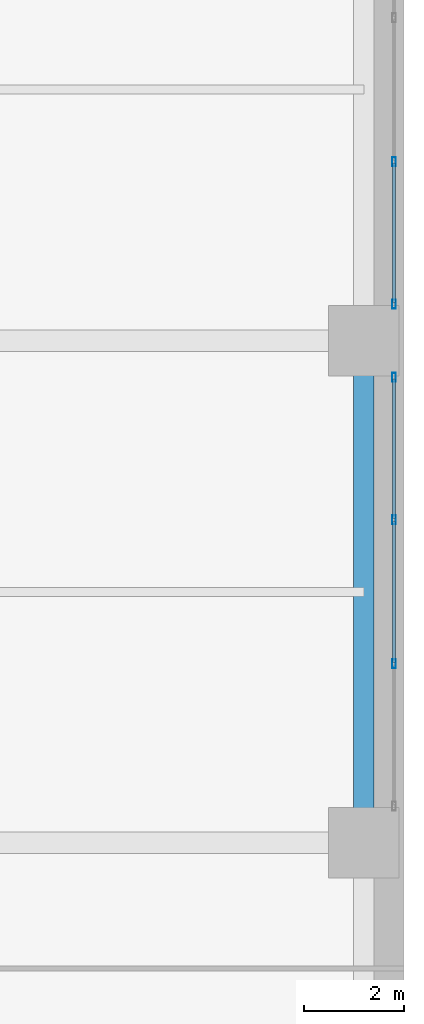
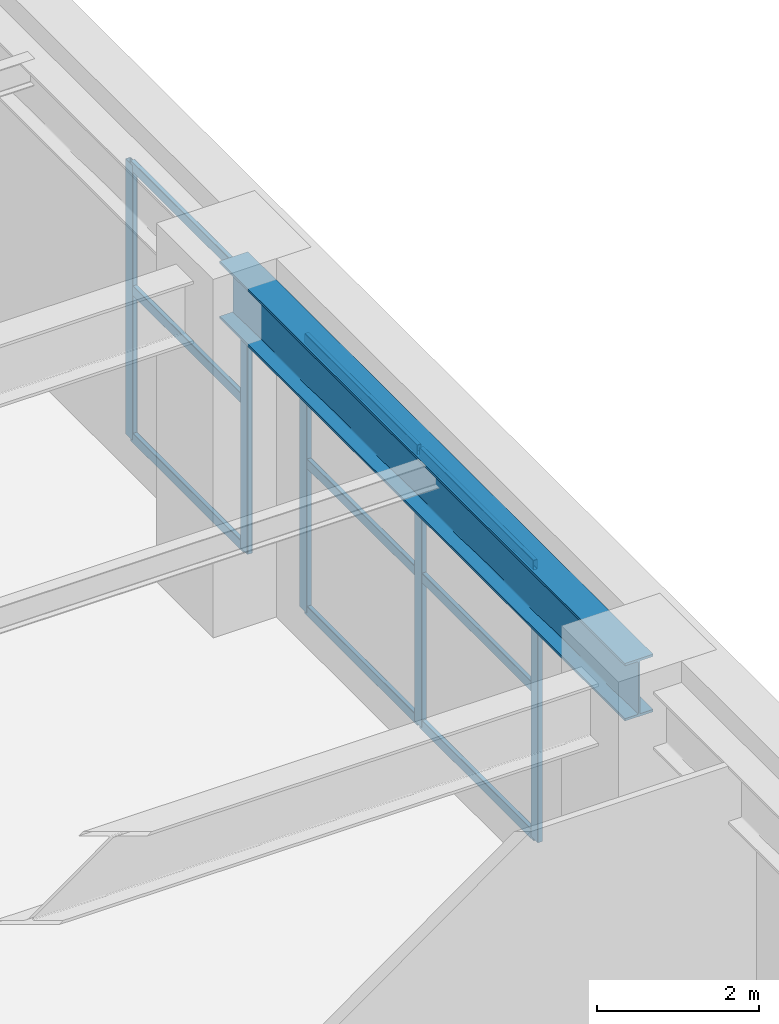
# One storey, part 12 of 25: 14 members, 1 beam, 2 elements without a shape of their own.
"""IFC4 building model written with IfcOpenShell, lengths in metres."""

import ifcopenshell
import ifcopenshell.guid

model = None  # the IFC model being written
_history = None  # IfcOwnerHistory: only IFC2X3 demands one
_inside = {}  # id of a spatial element -> (the spatial element, [elements in it])
_under = {}  # id of a project, library or spatial element -> (it, [spatial elements below it])
_declared = {}  # id of a project -> (the project, [libraries it declares])
_typed = {}  # id of a type object -> (the type object, [elements of that type])
_made_of = {}  # id of a material, layer set ... -> (it, [elements and type objects made of it])


def new_model(schema):
    """Start an empty IFC model of exactly this schema.

    Asked for "IFC4X3", IfcOpenShell would pick the latest addendum, in which some entities
    have other attributes; the version numbers below select the first issue.
    IFC2X3 requires an IfcOwnerHistory on every rooted entity: one is made here for all.
    """
    global model, _history
    if schema == "IFC4X3":
        model = ifcopenshell.file(schema_version=(4, 3, 0, 0))
    else:
        model = ifcopenshell.file(schema=schema)
    _inside.clear()
    _under.clear()
    _declared.clear()
    _typed.clear()
    _made_of.clear()
    _history = None
    if model.schema == "IFC2X3":
        org = make("IfcOrganization", Name="unknown")
        user = make(
            "IfcPersonAndOrganization",
            ThePerson=make("IfcPerson", FamilyName="unknown"),
            TheOrganization=org,
        )
        app = make(
            "IfcApplication",
            ApplicationDeveloper=org,
            Version="unknown",
            ApplicationFullName="unknown",
            ApplicationIdentifier="unknown",
        )
        _history = make(
            "IfcOwnerHistory",
            OwningUser=user,
            OwningApplication=app,
            ChangeAction="ADDED",
            CreationDate=0,
        )
    return model


def make(cls, **values):
    """One entity of the class cls with the attributes given. An attribute that is None is left unset."""
    return model.create_entity(
        cls, **{name: value for name, value in values.items() if value is not None}
    )


def rooted(cls, **values):
    """An entity with a GlobalId (a new one), such as an element, a storey or a relation."""
    return make(cls, GlobalId=ifcopenshell.guid.new(), OwnerHistory=_history, **values)


def si_unit(unit_type, name, prefix=None):
    """IfcSIUnit, for example si_unit("LENGTHUNIT", "METRE", prefix="MILLI")."""
    return make("IfcSIUnit", UnitType=unit_type, Prefix=prefix, Name=name)


def assignment(units):
    """IfcUnitAssignment: the units of a project."""
    return None if units is None else make("IfcUnitAssignment", Units=units)


def point(xyz):
    """IfcCartesianPoint."""
    return None if xyz is None else make("IfcCartesianPoint", Coordinates=xyz)


def direction(xyz):
    """IfcDirection."""
    return None if xyz is None else make("IfcDirection", DirectionRatios=xyz)


def frame(location, z_axis=None, x_axis=None):
    """IfcAxis2Placement3D, a coordinate frame: its origin and axes. An axis left out is left unset."""
    return make(
        "IfcAxis2Placement3D",
        Location=point(location),
        Axis=direction(z_axis),
        RefDirection=direction(x_axis),
    )


def frame_2d(location, x_axis=None):
    """IfcAxis2Placement2D, a coordinate frame in the plane: its origin and x axis."""
    return make(
        "IfcAxis2Placement2D", Location=point(location), RefDirection=direction(x_axis)
    )


def origin():
    """The frame at (0, 0, 0) with its axes left unset."""
    return frame((0.0, 0.0, 0.0))


def origin_2d():
    """The frame at (0, 0) in the plane with its x axis left unset."""
    return frame_2d((0.0, 0.0))


def place(relative_to, where):
    """IfcLocalPlacement: puts the frame where relative to a parent placement (None: the world)."""
    return make(
        "IfcLocalPlacement", PlacementRelTo=relative_to, RelativePlacement=where
    )


def context(
    kind, dimensions, precision=None, world=None, true_north=None, identifier=None
):
    """IfcGeometricRepresentationContext, for example the 3D "Model" context."""
    return make(
        "IfcGeometricRepresentationContext",
        ContextIdentifier=identifier,
        ContextType=kind,
        CoordinateSpaceDimension=dimensions,
        Precision=precision,
        WorldCoordinateSystem=world,
        TrueNorth=true_north,
    )


def subcontext(parent, identifier, kind, view, scale=None):
    """IfcGeometricRepresentationSubContext, for example "Body" below "Model"."""
    return make(
        "IfcGeometricRepresentationSubContext",
        ContextIdentifier=identifier,
        ContextType=kind,
        ParentContext=parent,
        TargetScale=scale,
        TargetView=view,
    )


def project(units=None, contexts=None):
    """IfcProject with its units and contexts."""
    return rooted(
        "IfcProject",
        Name="project",
        RepresentationContexts=contexts,
        UnitsInContext=assignment(units),
    )


def spatial(cls, under=None, at=None, **own):
    """A site, building, storey or space (cls), placed at a placement, below another one or the project."""
    s = rooted(cls, ObjectPlacement=at, **own)
    if under is not None:
        _under.setdefault(under.id(), (under, []))[1].append(s)
    return s


def profile(cls, at=None, kind="AREA", **sizes):
    """A parametric profile (cls). Its sizes go by their IFC names, for example OverallWidth=200.0."""
    return make(cls, ProfileType=kind, Position=at, **sizes)


def hollow_rectangle(**sizes):
    """IfcRectangleHollowProfileDef."""
    return profile("IfcRectangleHollowProfileDef", **sizes)


def i_section(**sizes):
    """IfcIShapeProfileDef."""
    return profile("IfcIShapeProfileDef", **sizes)


def extrude(swept, where, along, depth):
    """IfcExtrudedAreaSolid: the profile swept, set in the frame where, extruded along a direction by depth."""
    return make(
        "IfcExtrudedAreaSolid",
        SweptArea=swept,
        Position=where,
        ExtrudedDirection=direction(along),
        Depth=depth,
    )


def shape(context_of_items, identifier, shape_type, items):
    """IfcShapeRepresentation: the items that make up one representation, for example the "Body"."""
    return make(
        "IfcShapeRepresentation",
        ContextOfItems=context_of_items,
        RepresentationIdentifier=identifier,
        RepresentationType=shape_type,
        Items=items,
    )


def material(Name=None, Category=None):
    """IfcMaterial."""
    return make("IfcMaterial", Name=Name, Category=Category)


def layer(
    of_material, thickness, ventilated=None, Name=None, Category=None, Priority=None
):
    """IfcMaterialLayer: one layer of a wall or slab, of a material (None: an air gap)."""
    return make(
        "IfcMaterialLayer",
        Material=of_material,
        LayerThickness=thickness,
        IsVentilated=ventilated,
        Name=Name,
        Category=Category,
        Priority=Priority,
    )


def layer_set(layers, Name=None):
    """IfcMaterialLayerSet."""
    return make("IfcMaterialLayerSet", MaterialLayers=layers, LayerSetName=Name)


def material_profile(
    of_material, cross_section, Name=None, Category=None, Priority=None
):
    """IfcMaterialProfile: a cross section and its material."""
    return make(
        "IfcMaterialProfile",
        Name=Name,
        Material=of_material,
        Profile=cross_section,
        Priority=Priority,
        Category=Category,
    )


def profile_set(profiles, Name=None, composite=None):
    """IfcMaterialProfileSet."""
    return make(
        "IfcMaterialProfileSet",
        Name=Name,
        MaterialProfiles=profiles,
        CompositeProfile=composite,
    )


def made_of(thing, what):
    """Note that an element or type object is made of a material, layer set ...; save() writes the relation."""
    if what is not None:
        _made_of.setdefault(what.id(), (what, []))[1].append(thing)
    return thing


def type_object(cls, material=None, **own):
    """A type object (cls), such as IfcWallType, which elements share."""
    return made_of(rooted(cls, **own), material)


def element(
    cls,
    number,
    at=None,
    inside=None,
    cuts=None,
    type_object=None,
    material=None,
    context=None,
    identifier="Body",
    shape_type=None,
    held_by="IfcProductDefinitionShape",
    body=None,
    shapes=None,
    **own,
):
    """One element of the class cls, such as IfcWall. Its Tag is "e" and its number.

    at: its placement. inside: the storey or other place that contains it. cuts: it is an
    opening in that element (IfcRelVoidsElement). A single representation is given by context,
    identifier, shape_type and body (its items); several are given by shapes. held_by: the class
    of the entity that holds the representations. save() writes the other relations.
    """
    e = rooted(cls, Tag="e%d" % number, ObjectPlacement=at, **own)
    if body is not None:
        shapes = [shape(context, identifier, shape_type, body)]
    if shapes is not None:
        e.Representation = make(held_by, Representations=shapes)
    if inside is not None:
        _inside.setdefault(inside.id(), (inside, []))[1].append(e)
    if cuts is not None:
        rooted(
            "IfcRelVoidsElement", RelatingBuildingElement=cuts, RelatedOpeningElement=e
        )
    if type_object is not None:
        _typed.setdefault(type_object.id(), (type_object, []))[1].append(e)
    return made_of(e, material)


def aggregate(whole, parts):
    """IfcRelAggregates: a whole, such as a stair, and the parts it consists of."""
    return rooted("IfcRelAggregates", RelatingObject=whole, RelatedObjects=parts)


def save(model, path):
    """Write the relations noted so far, then the file.

    IfcRelAggregates (storeys below a building ...), IfcRelContainedInSpatialStructure (elements
    in a storey), IfcRelDefinesByType, IfcRelAssociatesMaterial and IfcRelDeclares: one each for
    every whole, place, type object, material and project.
    """
    for whole, parts in _under.values():
        aggregate(whole, parts)
    for where, things in _inside.values():
        rooted(
            "IfcRelContainedInSpatialStructure",
            RelatedElements=things,
            RelatingStructure=where,
        )
    for kind, things in _typed.values():
        rooted("IfcRelDefinesByType", RelatedObjects=things, RelatingType=kind)
    for what, things in _made_of.values():
        rooted("IfcRelAssociatesMaterial", RelatedObjects=things, RelatingMaterial=what)
    for by, libraries in _declared.values():
        rooted("IfcRelDeclares", RelatingContext=by, RelatedDefinitions=libraries)
    model.write(path)


model = new_model("IFC4")

# Units and contexts
model_context = context("Model", 3, precision=1e-05, world=origin(), true_north=direction((0.0, 1.0)))
body_context = subcontext(model_context, "Body", "Model", "MODEL_VIEW")
ifc_project = project(units=[si_unit("LENGTHUNIT", "METRE"), si_unit("AREAUNIT", "SQUARE_METRE"), si_unit("VOLUMEUNIT", "CUBIC_METRE"), si_unit("PLANEANGLEUNIT", "RADIAN"), si_unit("MASSUNIT", "GRAM", prefix="KILO")], contexts=[model_context])

# Site, building, storey
site_placement = place(None, origin())
site = spatial("IfcSite", under=ifc_project, at=site_placement, CompositionType="ELEMENT")
building_placement = place(site_placement, origin())
building = spatial("IfcBuilding", under=site, at=building_placement, Name="Soratama Intermodal Tower", CompositionType="ELEMENT")
storey_placement = place(building_placement, frame((0.0, 0.0, -5.39990234375)))
storey = spatial("IfcBuildingStorey", under=building, at=storey_placement, Name="B1", CompositionType="ELEMENT", Elevation=-5.39990234375)

# Beam
ifc_material_1 = material(Name="Structural steel ASTM A992 Grade 50", Category="steel")
ifc_material_profile_1 = material_profile(ifc_material_1, i_section(OverallWidth=0.403076171875, OverallDepth=0.867919921875, WebThickness=0.02099609375, FlangeThickness=0.03564453125, FilletRadius=0.01806640625, at=origin_2d()), Name="W33X241")
ifc_profile_set_1 = profile_set([ifc_material_profile_1], Name="Structural steel ASTM A992 Grade 50")
beam_type = type_object("IfcBeamType", Name="BM-POD-EXT-W33", PredefinedType="BEAM", material=ifc_profile_set_1)
beam_placement = place(storey_placement, frame((83.199951171875, 15.0, 4.64599609375), z_axis=(0.0, 1.0, 0.0), x_axis=(-1.0, 0.0, 0.0)))
element("IfcBeam", 1, at=beam_placement, inside=storey, type_object=beam_type, Name="B1 Station Girder Y4-2", PredefinedType="BEAM", context=body_context, shape_type="SweptSolid", body=[
    extrude(i_section(OverallWidth=0.403076171875, OverallDepth=0.867919921875, WebThickness=0.02099609375, FlangeThickness=0.03564453125, FilletRadius=0.01806640625, at=origin_2d()), origin(), (0.0, 0.0, 1.0), 10.0),
])

# Curtain wall, members
ifc_material_2 = material(Name="Double-glazed aluminium curtain wall", Category="aluminium")
ifc_layer = layer(ifc_material_2, 0.159912109375)
ifc_layer_set = layer_set([ifc_layer], Name="Double-glazed aluminium curtain wall")
curtain_wall_type = type_object("IfcCurtainWallType", Name="CW-SYS-1", PredefinedType="NOTDEFINED", material=ifc_layer_set)
curtain_wall_1_placement = place(storey_placement, origin())
curtain_wall_1 = element("IfcCurtainWall", 2, at=curtain_wall_1_placement, inside=storey, type_object=curtain_wall_type, Name="B1 Station Curtain Wall E1", PredefinedType="NOTDEFINED")
ifc_material_3 = material(Name="Anodised aluminium AA 6063-T6", Category="aluminium")
ifc_material_profile_2 = material_profile(ifc_material_3, hollow_rectangle(XDim=0.074951171875, YDim=0.179931640625, WallThickness=0.006103515625, InnerFilletRadius=0.006103515625, OuterFilletRadius=0.011962890625, at=origin_2d()), Name="CWM180X75X6")
ifc_profile_set_2 = profile_set([ifc_material_profile_2], Name="Anodised aluminium AA 6063-T6")
member_type_1 = type_object("IfcMemberType", Name="MT-CWM-1", PredefinedType="MULLION", material=ifc_profile_set_2)
member_1_placement = place(storey_placement, frame((83.800048828125, 18.566650390625, 0.0), z_axis=(0.0, 0.0, 1.0), x_axis=(-1.0, 0.0, 0.0)))
member_1 = element("IfcMember", 3, at=member_1_placement, type_object=member_type_1, Name="CW-1 mullion 2", PredefinedType="MULLION", context=body_context, shape_type="SweptSolid", body=[
    extrude(hollow_rectangle(XDim=0.074951171875, YDim=0.179931640625, WallThickness=0.006103515625, InnerFilletRadius=0.006103515625, OuterFilletRadius=0.011962890625, at=origin_2d()), origin(), (0.0, 0.0, 1.0), 4.135986328125),
])
member_2_placement = place(storey_placement, frame((83.800048828125, 21.433349609375, 0.0), z_axis=(0.0, 0.0, 1.0), x_axis=(-1.0, 0.0, 0.0)))
member_2 = element("IfcMember", 4, at=member_2_placement, type_object=member_type_1, Name="CW-1 mullion 3", PredefinedType="MULLION", context=body_context, shape_type="SweptSolid", body=[
    extrude(hollow_rectangle(XDim=0.074951171875, YDim=0.179931640625, WallThickness=0.006103515625, InnerFilletRadius=0.006103515625, OuterFilletRadius=0.011962890625, at=origin_2d()), origin(), (0.0, 0.0, 1.0), 4.135986328125),
])
member_3_placement = place(storey_placement, frame((83.800048828125, 24.27001953125, 0.0), z_axis=(0.0, 0.0, 1.0), x_axis=(-1.0, 0.0, 0.0)))
member_3 = element("IfcMember", 5, at=member_3_placement, type_object=member_type_1, Name="CW-1 mullion 4", PredefinedType="MULLION", context=body_context, shape_type="SweptSolid", body=[
    extrude(hollow_rectangle(XDim=0.074951171875, YDim=0.179931640625, WallThickness=0.006103515625, InnerFilletRadius=0.006103515625, OuterFilletRadius=0.011962890625, at=origin_2d()), origin(), (0.0, 0.0, 1.0), 4.135986328125),
])

curtain_wall_2_placement = place(storey_placement, origin())
curtain_wall_2 = element("IfcCurtainWall", 6, at=curtain_wall_2_placement, inside=storey, type_object=curtain_wall_type, Name="B1 Station Curtain Wall E2", PredefinedType="NOTDEFINED")
member_4_placement = place(storey_placement, frame((83.800048828125, 25.72998046875, 0.0), z_axis=(0.0, 0.0, 1.0), x_axis=(-1.0, 0.0, 0.0)))
member_4 = element("IfcMember", 7, at=member_4_placement, type_object=member_type_1, Name="CW-1 mullion 1", PredefinedType="MULLION", context=body_context, shape_type="SweptSolid", body=[
    extrude(hollow_rectangle(XDim=0.074951171875, YDim=0.179931640625, WallThickness=0.006103515625, InnerFilletRadius=0.006103515625, OuterFilletRadius=0.011962890625, at=origin_2d()), origin(), (0.0, 0.0, 1.0), 4.135986328125),
])
member_5_placement = place(storey_placement, frame((83.800048828125, 28.566650390625, 0.0), z_axis=(0.0, 0.0, 1.0), x_axis=(-1.0, 0.0, 0.0)))
member_5 = element("IfcMember", 8, at=member_5_placement, type_object=member_type_1, Name="CW-1 mullion 2", PredefinedType="MULLION", context=body_context, shape_type="SweptSolid", body=[
    extrude(hollow_rectangle(XDim=0.074951171875, YDim=0.179931640625, WallThickness=0.006103515625, InnerFilletRadius=0.006103515625, OuterFilletRadius=0.011962890625, at=origin_2d()), origin(), (0.0, 0.0, 1.0), 4.135986328125),
])

# Member
ifc_material_4 = material(Name="Anodised aluminium AA 6063-T6", Category="aluminium")
ifc_material_profile_3 = material_profile(ifc_material_4, hollow_rectangle(XDim=0.06494140625, YDim=0.14990234375, WallThickness=0.0048828125, InnerFilletRadius=0.0048828125, OuterFilletRadius=0.010009765625, at=origin_2d()), Name="CWT150X65X5")
ifc_profile_set_3 = profile_set([ifc_material_profile_3], Name="Anodised aluminium AA 6063-T6")
member_type_2 = type_object("IfcMemberType", Name="TT-CWT-1", PredefinedType="USERDEFINED", material=ifc_profile_set_3)
member_6_placement = place(storey_placement, frame((83.800048828125, 18.5966796875, 0.02978515625), z_axis=(0.0, 1.0, 0.0), x_axis=(-1.0, 0.0, 0.0)))
member_6 = element("IfcMember", 9, at=member_6_placement, type_object=member_type_2, Name="CW-1 transom 2.1", ObjectType="TRANSOM", PredefinedType="USERDEFINED", context=body_context, shape_type="SweptSolid", body=[
    extrude(hollow_rectangle(XDim=0.06494140625, YDim=0.14990234375, WallThickness=0.0048828125, InnerFilletRadius=0.0048828125, OuterFilletRadius=0.010009765625, at=origin_2d()), origin(), (0.0, 0.0, 1.0), 2.806640625),
])

member_7_placement = place(storey_placement, frame((83.800048828125, 18.5966796875, 2.25), z_axis=(0.0, 1.0, 0.0), x_axis=(-1.0, 0.0, 0.0)))
member_7 = element("IfcMember", 10, at=member_7_placement, type_object=member_type_2, Name="CW-1 transom 2.2", ObjectType="TRANSOM", PredefinedType="USERDEFINED", context=body_context, shape_type="SweptSolid", body=[
    extrude(hollow_rectangle(XDim=0.06494140625, YDim=0.14990234375, WallThickness=0.0048828125, InnerFilletRadius=0.0048828125, OuterFilletRadius=0.010009765625, at=origin_2d()), origin(), (0.0, 0.0, 1.0), 2.806640625),
])

member_8_placement = place(storey_placement, frame((83.800048828125, 18.5966796875, 4.10595703125), z_axis=(0.0, 1.0, 0.0), x_axis=(-1.0, 0.0, 0.0)))
member_8 = element("IfcMember", 11, at=member_8_placement, type_object=member_type_2, Name="CW-1 transom 2.3", ObjectType="TRANSOM", PredefinedType="USERDEFINED", context=body_context, shape_type="SweptSolid", body=[
    extrude(hollow_rectangle(XDim=0.06494140625, YDim=0.14990234375, WallThickness=0.0048828125, InnerFilletRadius=0.0048828125, OuterFilletRadius=0.010009765625, at=origin_2d()), origin(), (0.0, 0.0, 1.0), 2.806640625),
])

member_9_placement = place(storey_placement, frame((83.800048828125, 21.46337890625, 0.02978515625), z_axis=(0.0, 1.0, 0.0), x_axis=(-1.0, 0.0, 0.0)))
member_9 = element("IfcMember", 12, at=member_9_placement, type_object=member_type_2, Name="CW-1 transom 3.1", ObjectType="TRANSOM", PredefinedType="USERDEFINED", context=body_context, shape_type="SweptSolid", body=[
    extrude(hollow_rectangle(XDim=0.06494140625, YDim=0.14990234375, WallThickness=0.0048828125, InnerFilletRadius=0.0048828125, OuterFilletRadius=0.010009765625, at=origin_2d()), origin(), (0.0, 0.0, 1.0), 2.776611328125),
])

member_10_placement = place(storey_placement, frame((83.800048828125, 21.46337890625, 2.25), z_axis=(0.0, 1.0, 0.0), x_axis=(-1.0, 0.0, 0.0)))
member_10 = element("IfcMember", 13, at=member_10_placement, type_object=member_type_2, Name="CW-1 transom 3.2", ObjectType="TRANSOM", PredefinedType="USERDEFINED", context=body_context, shape_type="SweptSolid", body=[
    extrude(hollow_rectangle(XDim=0.06494140625, YDim=0.14990234375, WallThickness=0.0048828125, InnerFilletRadius=0.0048828125, OuterFilletRadius=0.010009765625, at=origin_2d()), origin(), (0.0, 0.0, 1.0), 2.776611328125),
])

member_11_placement = place(storey_placement, frame((83.800048828125, 21.46337890625, 4.10595703125), z_axis=(0.0, 1.0, 0.0), x_axis=(-1.0, 0.0, 0.0)))
member_11 = element("IfcMember", 14, at=member_11_placement, type_object=member_type_2, Name="CW-1 transom 3.3", ObjectType="TRANSOM", PredefinedType="USERDEFINED", context=body_context, shape_type="SweptSolid", body=[
    extrude(hollow_rectangle(XDim=0.06494140625, YDim=0.14990234375, WallThickness=0.0048828125, InnerFilletRadius=0.0048828125, OuterFilletRadius=0.010009765625, at=origin_2d()), origin(), (0.0, 0.0, 1.0), 2.776611328125),
])

aggregate(curtain_wall_1, [member_1, member_2, member_3, member_6, member_7, member_8, member_9, member_10, member_11])

member_12_placement = place(storey_placement, frame((83.800048828125, 25.760009765625, 0.02978515625), z_axis=(0.0, 1.0, 0.0), x_axis=(-1.0, 0.0, 0.0)))
member_12 = element("IfcMember", 15, at=member_12_placement, type_object=member_type_2, Name="CW-1 transom 1.1", ObjectType="TRANSOM", PredefinedType="USERDEFINED", context=body_context, shape_type="SweptSolid", body=[
    extrude(hollow_rectangle(XDim=0.06494140625, YDim=0.14990234375, WallThickness=0.0048828125, InnerFilletRadius=0.0048828125, OuterFilletRadius=0.010009765625, at=origin_2d()), origin(), (0.0, 0.0, 1.0), 2.776611328125),
])

member_13_placement = place(storey_placement, frame((83.800048828125, 25.760009765625, 2.25), z_axis=(0.0, 1.0, 0.0), x_axis=(-1.0, 0.0, 0.0)))
member_13 = element("IfcMember", 16, at=member_13_placement, type_object=member_type_2, Name="CW-1 transom 1.2", ObjectType="TRANSOM", PredefinedType="USERDEFINED", context=body_context, shape_type="SweptSolid", body=[
    extrude(hollow_rectangle(XDim=0.06494140625, YDim=0.14990234375, WallThickness=0.0048828125, InnerFilletRadius=0.0048828125, OuterFilletRadius=0.010009765625, at=origin_2d()), origin(), (0.0, 0.0, 1.0), 2.776611328125),
])

member_14_placement = place(storey_placement, frame((83.800048828125, 25.760009765625, 4.10595703125), z_axis=(0.0, 1.0, 0.0), x_axis=(-1.0, 0.0, 0.0)))
member_14 = element("IfcMember", 17, at=member_14_placement, type_object=member_type_2, Name="CW-1 transom 1.3", ObjectType="TRANSOM", PredefinedType="USERDEFINED", context=body_context, shape_type="SweptSolid", body=[
    extrude(hollow_rectangle(XDim=0.06494140625, YDim=0.14990234375, WallThickness=0.0048828125, InnerFilletRadius=0.0048828125, OuterFilletRadius=0.010009765625, at=origin_2d()), origin(), (0.0, 0.0, 1.0), 2.776611328125),
])

aggregate(curtain_wall_2, [member_4, member_5, member_12, member_13, member_14])

save(model, "model.ifc")
